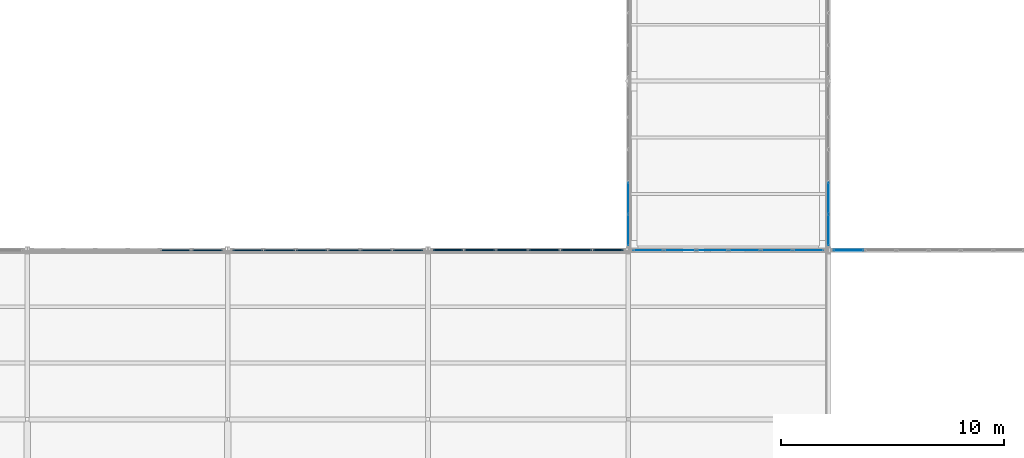
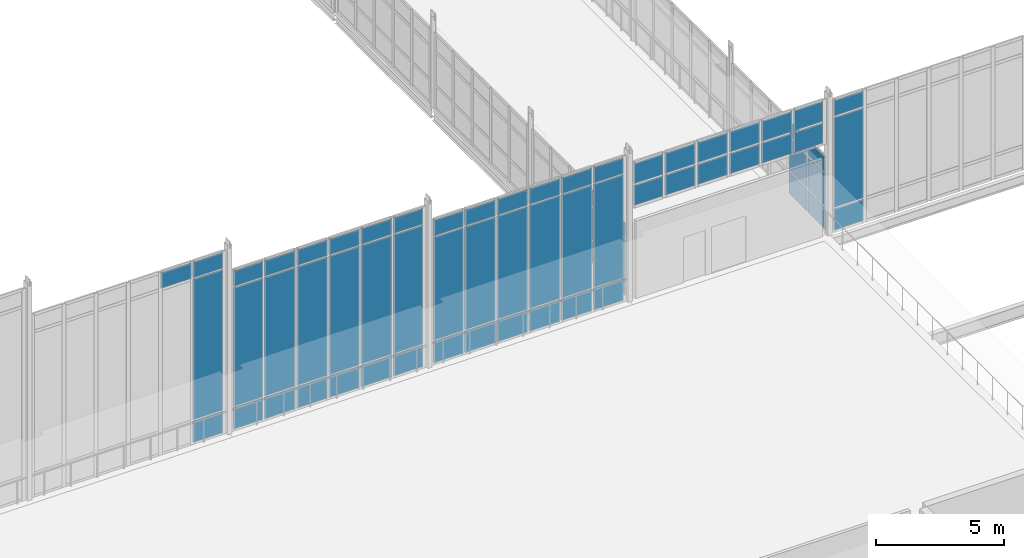
# One storey, part 126 of 166: 67 plates, 7 elements without a shape of their own.
"""IFC4 building model written with IfcOpenShell, lengths in metres."""

from ifc_helpers import new_model, si_unit, direction, frame, origin, origin_2d, place, context, subcontext, project, spatial, rectangle, extrude, material, layer, layer_set, type_object, element, aggregate, save


model = new_model("IFC4")

# Units and contexts
model_context = context("Model", 3, precision=1e-05, world=origin(), true_north=direction((0.0, 1.0)))
body_context = subcontext(model_context, "Body", "Model", "MODEL_VIEW")
ifc_project = project(units=[si_unit("LENGTHUNIT", "METRE"), si_unit("AREAUNIT", "SQUARE_METRE"), si_unit("VOLUMEUNIT", "CUBIC_METRE"), si_unit("PLANEANGLEUNIT", "RADIAN"), si_unit("MASSUNIT", "GRAM", prefix="KILO")], contexts=[model_context])

# Site, building, storey
site_placement = place(None, origin())
site = spatial("IfcSite", under=ifc_project, at=site_placement, CompositionType="ELEMENT")
building_placement = place(site_placement, origin())
building = spatial("IfcBuilding", under=site, at=building_placement, Name="Caisbarro Railhouse Central Library", CompositionType="ELEMENT")
storey_placement = place(building_placement, frame((0.0, 0.0, 9.360107421875)))
storey = spatial("IfcBuildingStorey", under=building, at=storey_placement, Name="L02", CompositionType="ELEMENT", Elevation=9.360107421875)

# Curtain wall, plates
ifc_material_1 = material(Name="Anodised architectural aluminium", Category="aluminium")
curtain_wall_type_1 = type_object("IfcCurtainWallType", Name="CW-CW04", PredefinedType="NOTDEFINED", material=ifc_material_1)
curtain_wall_1_placement = place(storey_placement, origin())
curtain_wall_1 = element("IfcCurtainWall", 1, at=curtain_wall_1_placement, inside=storey, type_object=curtain_wall_type_1, Name="CW04 curtain wall L02 #18", PredefinedType="NOTDEFINED")
ifc_material_2 = material(Name="Double low-e laminated solar-control glass", Category="glass")
ifc_layer_1 = layer(ifc_material_2, 0.01806640625, Name="Double low-e laminated solar-control glass")
ifc_layer_set_1 = layer_set([ifc_layer_1], Name="Double low-e laminated solar-control glass")
plate_type_1 = type_object("IfcPlateType", Name="CWP-CP18", PredefinedType="CURTAIN_PANEL", material=ifc_layer_set_1)
plate_1_placement = place(storey_placement, frame((54.902099609375, 60.800048828125, 4.39501953125), z_axis=(0.0, 0.0, 1.0), x_axis=(1.0, 0.0, 0.0)))
plate_1 = element("IfcPlate", 2, at=plate_1_placement, type_object=plate_type_1, Name="CW04 panel 1.1", PredefinedType="CURTAIN_PANEL", context=body_context, shape_type="SweptSolid", body=[
    extrude(rectangle(XDim=1.334228515625, YDim=0.01806640625, at=origin_2d()), origin(), (0.0, 0.0, 1.0), 0.96240234375),
])
plate_2_placement = place(storey_placement, frame((54.902099609375, 60.800048828125, 5.432373046875), z_axis=(0.0, 0.0, 1.0), x_axis=(1.0, 0.0, 0.0)))
plate_2 = element("IfcPlate", 3, at=plate_2_placement, type_object=plate_type_1, Name="CW04 panel 1.2", PredefinedType="CURTAIN_PANEL", context=body_context, shape_type="SweptSolid", body=[
    extrude(rectangle(XDim=1.334228515625, YDim=0.01806640625, at=origin_2d()), origin(), (0.0, 0.0, 1.0), 0.96240234375),
])
plate_3_placement = place(storey_placement, frame((56.330078125, 60.800048828125, 4.39501953125), z_axis=(0.0, 0.0, 1.0), x_axis=(1.0, 0.0, 0.0)))
plate_3 = element("IfcPlate", 4, at=plate_3_placement, type_object=plate_type_1, Name="CW04 panel 2.1", PredefinedType="CURTAIN_PANEL", context=body_context, shape_type="SweptSolid", body=[
    extrude(rectangle(XDim=1.37158203125, YDim=0.01806640625, at=origin_2d()), origin(), (0.0, 0.0, 1.0), 0.96240234375),
])
plate_4_placement = place(storey_placement, frame((56.330078125, 60.800048828125, 5.432373046875), z_axis=(0.0, 0.0, 1.0), x_axis=(1.0, 0.0, 0.0)))
plate_4 = element("IfcPlate", 5, at=plate_4_placement, type_object=plate_type_1, Name="CW04 panel 2.2", PredefinedType="CURTAIN_PANEL", context=body_context, shape_type="SweptSolid", body=[
    extrude(rectangle(XDim=1.37158203125, YDim=0.01806640625, at=origin_2d()), origin(), (0.0, 0.0, 1.0), 0.96240234375),
])
plate_5_placement = place(storey_placement, frame((57.776611328125, 60.800048828125, 4.39501953125), z_axis=(0.0, 0.0, 1.0), x_axis=(1.0, 0.0, 0.0)))
plate_5 = element("IfcPlate", 6, at=plate_5_placement, type_object=plate_type_1, Name="CW04 panel 3.1", PredefinedType="CURTAIN_PANEL", context=body_context, shape_type="SweptSolid", body=[
    extrude(rectangle(XDim=1.37158203125, YDim=0.01806640625, at=origin_2d()), origin(), (0.0, 0.0, 1.0), 0.96240234375),
])
plate_6_placement = place(storey_placement, frame((57.776611328125, 60.800048828125, 5.432373046875), z_axis=(0.0, 0.0, 1.0), x_axis=(1.0, 0.0, 0.0)))
plate_6 = element("IfcPlate", 7, at=plate_6_placement, type_object=plate_type_1, Name="CW04 panel 3.2", PredefinedType="CURTAIN_PANEL", context=body_context, shape_type="SweptSolid", body=[
    extrude(rectangle(XDim=1.37158203125, YDim=0.01806640625, at=origin_2d()), origin(), (0.0, 0.0, 1.0), 0.96240234375),
])
plate_7_placement = place(storey_placement, frame((59.223388671875, 60.800048828125, 4.39501953125), z_axis=(0.0, 0.0, 1.0), x_axis=(1.0, 0.0, 0.0)))
plate_7 = element("IfcPlate", 8, at=plate_7_placement, type_object=plate_type_1, Name="CW04 panel 4.1", PredefinedType="CURTAIN_PANEL", context=body_context, shape_type="SweptSolid", body=[
    extrude(rectangle(XDim=1.37158203125, YDim=0.01806640625, at=origin_2d()), origin(), (0.0, 0.0, 1.0), 0.96240234375),
])
plate_8_placement = place(storey_placement, frame((59.223388671875, 60.800048828125, 5.432373046875), z_axis=(0.0, 0.0, 1.0), x_axis=(1.0, 0.0, 0.0)))
plate_8 = element("IfcPlate", 9, at=plate_8_placement, type_object=plate_type_1, Name="CW04 panel 4.2", PredefinedType="CURTAIN_PANEL", context=body_context, shape_type="SweptSolid", body=[
    extrude(rectangle(XDim=1.37158203125, YDim=0.01806640625, at=origin_2d()), origin(), (0.0, 0.0, 1.0), 0.96240234375),
])
plate_9_placement = place(storey_placement, frame((60.669921875, 60.800048828125, 4.39501953125), z_axis=(0.0, 0.0, 1.0), x_axis=(1.0, 0.0, 0.0)))
plate_9 = element("IfcPlate", 10, at=plate_9_placement, type_object=plate_type_1, Name="CW04 panel 5.1", PredefinedType="CURTAIN_PANEL", context=body_context, shape_type="SweptSolid", body=[
    extrude(rectangle(XDim=1.37158203125, YDim=0.01806640625, at=origin_2d()), origin(), (0.0, 0.0, 1.0), 0.96240234375),
])
plate_10_placement = place(storey_placement, frame((60.669921875, 60.800048828125, 5.432373046875), z_axis=(0.0, 0.0, 1.0), x_axis=(1.0, 0.0, 0.0)))
plate_10 = element("IfcPlate", 11, at=plate_10_placement, type_object=plate_type_1, Name="CW04 panel 5.2", PredefinedType="CURTAIN_PANEL", context=body_context, shape_type="SweptSolid", body=[
    extrude(rectangle(XDim=1.37158203125, YDim=0.01806640625, at=origin_2d()), origin(), (0.0, 0.0, 1.0), 0.96240234375),
])
plate_11_placement = place(storey_placement, frame((62.097900390625, 60.800048828125, 4.39501953125), z_axis=(0.0, 0.0, 1.0), x_axis=(1.0, 0.0, 0.0)))
plate_11 = element("IfcPlate", 12, at=plate_11_placement, type_object=plate_type_1, Name="CW04 panel 6.1", PredefinedType="CURTAIN_PANEL", context=body_context, shape_type="SweptSolid", body=[
    extrude(rectangle(XDim=1.334228515625, YDim=0.01806640625, at=origin_2d()), origin(), (0.0, 0.0, 1.0), 0.96240234375),
])
plate_12_placement = place(storey_placement, frame((62.097900390625, 60.800048828125, 5.432373046875), z_axis=(0.0, 0.0, 1.0), x_axis=(1.0, 0.0, 0.0)))
plate_12 = element("IfcPlate", 13, at=plate_12_placement, type_object=plate_type_1, Name="CW04 panel 6.2", PredefinedType="CURTAIN_PANEL", context=body_context, shape_type="SweptSolid", body=[
    extrude(rectangle(XDim=1.334228515625, YDim=0.01806640625, at=origin_2d()), origin(), (0.0, 0.0, 1.0), 0.96240234375),
])
aggregate(curtain_wall_1, [plate_1, plate_2, plate_3, plate_4, plate_5, plate_6, plate_7, plate_8, plate_9, plate_10, plate_11, plate_12])

curtain_wall_type_2 = type_object("IfcCurtainWallType", Name="CW-CW03", PredefinedType="NOTDEFINED", material=ifc_material_1)
curtain_wall_2_placement = place(storey_placement, origin())
curtain_wall_2 = element("IfcCurtainWall", 14, at=curtain_wall_2_placement, inside=storey, type_object=curtain_wall_type_2, Name="CW03 curtain wall L02 #202", PredefinedType="NOTDEFINED")
plate_13_placement = place(storey_placement, frame((54.0, 61.704345703125, 0.06494140625), z_axis=(0.0, 0.0, 1.0), x_axis=(0.0, 1.0, 0.0)))
plate_13 = element("IfcPlate", 15, at=plate_13_placement, type_object=plate_type_1, Name="CW03 panel 1.1", PredefinedType="CURTAIN_PANEL", context=body_context, shape_type="SweptSolid", body=[
    extrude(rectangle(XDim=1.3583984375, YDim=0.01806640625, at=origin_2d()), origin(), (0.0, 0.0, 1.0), 1.0224609375),
])
plate_14_placement = place(storey_placement, frame((54.0, 61.704345703125, 1.15234375), z_axis=(0.0, 0.0, 1.0), x_axis=(0.0, 1.0, 0.0)))
plate_14 = element("IfcPlate", 16, at=plate_14_placement, type_object=plate_type_1, Name="CW03 panel 1.2", PredefinedType="CURTAIN_PANEL", context=body_context, shape_type="SweptSolid", body=[
    extrude(rectangle(XDim=1.3583984375, YDim=0.01806640625, at=origin_2d()), origin(), (0.0, 0.0, 1.0), 1.554931640625),
])
plate_15_placement = place(storey_placement, frame((54.0, 61.704345703125, 2.7724609375), z_axis=(0.0, 0.0, 1.0), x_axis=(0.0, 1.0, 0.0)))
plate_15 = element("IfcPlate", 17, at=plate_15_placement, type_object=plate_type_1, Name="CW03 panel 1.3", PredefinedType="CURTAIN_PANEL", context=body_context, shape_type="SweptSolid", body=[
    extrude(rectangle(XDim=1.3583984375, YDim=0.01806640625, at=origin_2d()), origin(), (0.0, 0.0, 1.0), 0.75244140625),
])
plate_16_placement = place(storey_placement, frame((54.0, 63.14404296875, 0.06494140625), z_axis=(0.0, 0.0, 1.0), x_axis=(0.0, 1.0, 0.0)))
plate_16 = element("IfcPlate", 18, at=plate_16_placement, type_object=plate_type_1, Name="CW03 panel 2.1", PredefinedType="CURTAIN_PANEL", context=body_context, shape_type="SweptSolid", body=[
    extrude(rectangle(XDim=1.39111328125, YDim=0.01806640625, at=origin_2d()), origin(), (0.0, 0.0, 1.0), 1.0224609375),
])
plate_17_placement = place(storey_placement, frame((54.0, 63.14404296875, 1.15234375), z_axis=(0.0, 0.0, 1.0), x_axis=(0.0, 1.0, 0.0)))
plate_17 = element("IfcPlate", 19, at=plate_17_placement, type_object=plate_type_1, Name="CW03 panel 2.2", PredefinedType="CURTAIN_PANEL", context=body_context, shape_type="SweptSolid", body=[
    extrude(rectangle(XDim=1.39111328125, YDim=0.01806640625, at=origin_2d()), origin(), (0.0, 0.0, 1.0), 1.554931640625),
])
plate_18_placement = place(storey_placement, frame((54.0, 63.14404296875, 2.7724609375), z_axis=(0.0, 0.0, 1.0), x_axis=(0.0, 1.0, 0.0)))
plate_18 = element("IfcPlate", 20, at=plate_18_placement, type_object=plate_type_1, Name="CW03 panel 2.3", PredefinedType="CURTAIN_PANEL", context=body_context, shape_type="SweptSolid", body=[
    extrude(rectangle(XDim=1.39111328125, YDim=0.01806640625, at=origin_2d()), origin(), (0.0, 0.0, 1.0), 0.75244140625),
])
aggregate(curtain_wall_2, [plate_13, plate_14, plate_15, plate_16, plate_17, plate_18])

curtain_wall_3_placement = place(storey_placement, origin())
curtain_wall_3 = element("IfcCurtainWall", 21, at=curtain_wall_3_placement, inside=storey, type_object=curtain_wall_type_2, Name="CW03 curtain wall L02 #203", PredefinedType="NOTDEFINED")
plate_19_placement = place(storey_placement, frame((63.0, 61.704345703125, 0.06494140625), z_axis=(0.0, 0.0, 1.0), x_axis=(0.0, 1.0, 0.0)))
plate_19 = element("IfcPlate", 22, at=plate_19_placement, type_object=plate_type_1, Name="CW03 panel 1.1", PredefinedType="CURTAIN_PANEL", context=body_context, shape_type="SweptSolid", body=[
    extrude(rectangle(XDim=1.3583984375, YDim=0.01806640625, at=origin_2d()), origin(), (0.0, 0.0, 1.0), 1.0224609375),
])
plate_20_placement = place(storey_placement, frame((63.0, 61.704345703125, 1.15234375), z_axis=(0.0, 0.0, 1.0), x_axis=(0.0, 1.0, 0.0)))
plate_20 = element("IfcPlate", 23, at=plate_20_placement, type_object=plate_type_1, Name="CW03 panel 1.2", PredefinedType="CURTAIN_PANEL", context=body_context, shape_type="SweptSolid", body=[
    extrude(rectangle(XDim=1.3583984375, YDim=0.01806640625, at=origin_2d()), origin(), (0.0, 0.0, 1.0), 1.554931640625),
])
plate_21_placement = place(storey_placement, frame((63.0, 61.704345703125, 2.7724609375), z_axis=(0.0, 0.0, 1.0), x_axis=(0.0, 1.0, 0.0)))
plate_21 = element("IfcPlate", 24, at=plate_21_placement, type_object=plate_type_1, Name="CW03 panel 1.3", PredefinedType="CURTAIN_PANEL", context=body_context, shape_type="SweptSolid", body=[
    extrude(rectangle(XDim=1.3583984375, YDim=0.01806640625, at=origin_2d()), origin(), (0.0, 0.0, 1.0), 0.75244140625),
])
plate_22_placement = place(storey_placement, frame((63.0, 63.14404296875, 0.06494140625), z_axis=(0.0, 0.0, 1.0), x_axis=(0.0, 1.0, 0.0)))
plate_22 = element("IfcPlate", 25, at=plate_22_placement, type_object=plate_type_1, Name="CW03 panel 2.1", PredefinedType="CURTAIN_PANEL", context=body_context, shape_type="SweptSolid", body=[
    extrude(rectangle(XDim=1.39111328125, YDim=0.01806640625, at=origin_2d()), origin(), (0.0, 0.0, 1.0), 1.0224609375),
])
plate_23_placement = place(storey_placement, frame((63.0, 63.14404296875, 1.15234375), z_axis=(0.0, 0.0, 1.0), x_axis=(0.0, 1.0, 0.0)))
plate_23 = element("IfcPlate", 26, at=plate_23_placement, type_object=plate_type_1, Name="CW03 panel 2.2", PredefinedType="CURTAIN_PANEL", context=body_context, shape_type="SweptSolid", body=[
    extrude(rectangle(XDim=1.39111328125, YDim=0.01806640625, at=origin_2d()), origin(), (0.0, 0.0, 1.0), 1.554931640625),
])
plate_24_placement = place(storey_placement, frame((63.0, 63.14404296875, 2.7724609375), z_axis=(0.0, 0.0, 1.0), x_axis=(0.0, 1.0, 0.0)))
plate_24 = element("IfcPlate", 27, at=plate_24_placement, type_object=plate_type_1, Name="CW03 panel 2.3", PredefinedType="CURTAIN_PANEL", context=body_context, shape_type="SweptSolid", body=[
    extrude(rectangle(XDim=1.39111328125, YDim=0.01806640625, at=origin_2d()), origin(), (0.0, 0.0, 1.0), 0.75244140625),
])
aggregate(curtain_wall_3, [plate_19, plate_20, plate_21, plate_22, plate_23, plate_24])

curtain_wall_4_placement = place(storey_placement, origin())
curtain_wall_4 = element("IfcCurtainWall", 28, at=curtain_wall_4_placement, inside=storey, type_object=curtain_wall_type_1, Name="CW04 curtain wall L02 #20", PredefinedType="NOTDEFINED")
ifc_layer_2 = layer(ifc_material_2, 0.028076171875, Name="Double low-e laminated solar-control glass")
ifc_layer_set_2 = layer_set([ifc_layer_2], Name="Double low-e laminated solar-control glass")
plate_type_2 = type_object("IfcPlateType", Name="CWP-CP28", PredefinedType="CURTAIN_PANEL", material=ifc_layer_set_2)
plate_25_placement = place(storey_placement, frame((63.902099609375, 60.800048828125, 0.07470703125), z_axis=(0.0, 0.0, 1.0), x_axis=(1.0, 0.0, 0.0)))
plate_25 = element("IfcPlate", 29, at=plate_25_placement, type_object=plate_type_2, Name="CW04 panel 1.1", PredefinedType="CURTAIN_PANEL", context=body_context, shape_type="SweptSolid", body=[
    extrude(rectangle(XDim=1.334228515625, YDim=0.028076171875, at=origin_2d()), origin(), (0.0, 0.0, 1.0), 1.007568359375),
])
plate_26_placement = place(storey_placement, frame((63.902099609375, 60.800048828125, 1.157470703125), z_axis=(0.0, 0.0, 1.0), x_axis=(1.0, 0.0, 0.0)))
plate_26 = element("IfcPlate", 30, at=plate_26_placement, type_object=plate_type_2, Name="CW04 panel 1.2", PredefinedType="CURTAIN_PANEL", context=body_context, shape_type="SweptSolid", body=[
    extrude(rectangle(XDim=1.334228515625, YDim=0.028076171875, at=origin_2d()), origin(), (0.0, 0.0, 1.0), 4.27490234375),
])
plate_27_placement = place(storey_placement, frame((63.902099609375, 60.800048828125, 5.50732421875), z_axis=(0.0, 0.0, 1.0), x_axis=(1.0, 0.0, 0.0)))
plate_27 = element("IfcPlate", 31, at=plate_27_placement, type_object=plate_type_2, Name="CW04 panel 1.3", PredefinedType="CURTAIN_PANEL", context=body_context, shape_type="SweptSolid", body=[
    extrude(rectangle(XDim=1.334228515625, YDim=0.028076171875, at=origin_2d()), origin(), (0.0, 0.0, 1.0), 0.737548828125),
])
aggregate(curtain_wall_4, [plate_25, plate_26, plate_27])

curtain_wall_type_3 = type_object("IfcCurtainWallType", Name="CW-CW05", PredefinedType="NOTDEFINED", material=ifc_material_1)
curtain_wall_5_placement = place(storey_placement, origin())
curtain_wall_5 = element("IfcCurtainWall", 32, at=curtain_wall_5_placement, inside=storey, type_object=curtain_wall_type_3, Name="CW05 curtain wall L02 #11", PredefinedType="NOTDEFINED")
ifc_layer_3 = layer(ifc_material_2, 0.048095703125, Name="Double low-e laminated solar-control glass")
ifc_layer_set_3 = layer_set([ifc_layer_3], Name="Double low-e laminated solar-control glass")
plate_type_3 = type_object("IfcPlateType", Name="CWP-CP48", PredefinedType="CURTAIN_PANEL", material=ifc_layer_set_3)
plate_28_placement = place(storey_placement, frame((33.669921875, 60.800048828125, 7.9072265625), z_axis=(0.0, 0.0, 1.0), x_axis=(1.0, 0.0, 0.0)))
plate_28 = element("IfcPlate", 33, at=plate_28_placement, type_object=plate_type_3, Name="CW05 panel 5.3", PredefinedType="CURTAIN_PANEL", context=body_context, shape_type="SweptSolid", body=[
    extrude(rectangle(XDim=1.37158203125, YDim=0.048095703125, at=origin_2d()), origin(), (0.0, 0.0, 1.0), 0.737548828125),
])
plate_29_placement = place(storey_placement, frame((35.097900390625, 60.800048828125, 0.07470703125), z_axis=(0.0, 0.0, 1.0), x_axis=(1.0, 0.0, 0.0)))
plate_29 = element("IfcPlate", 34, at=plate_29_placement, type_object=plate_type_3, Name="CW05 panel 6.1", PredefinedType="CURTAIN_PANEL", context=body_context, shape_type="SweptSolid", body=[
    extrude(rectangle(XDim=1.334228515625, YDim=0.048095703125, at=origin_2d()), origin(), (0.0, 0.0, 1.0), 1.007568359375),
])
plate_30_placement = place(storey_placement, frame((35.097900390625, 60.800048828125, 1.1572265625), z_axis=(0.0, 0.0, 1.0), x_axis=(1.0, 0.0, 0.0)))
plate_30 = element("IfcPlate", 35, at=plate_30_placement, type_object=plate_type_3, Name="CW05 panel 6.2", PredefinedType="CURTAIN_PANEL", context=body_context, shape_type="SweptSolid", body=[
    extrude(rectangle(XDim=1.334228515625, YDim=0.048095703125, at=origin_2d()), origin(), (0.0, 0.0, 1.0), 6.675048828125),
])
plate_31_placement = place(storey_placement, frame((35.097900390625, 60.800048828125, 7.9072265625), z_axis=(0.0, 0.0, 1.0), x_axis=(1.0, 0.0, 0.0)))
plate_31 = element("IfcPlate", 36, at=plate_31_placement, type_object=plate_type_3, Name="CW05 panel 6.3", PredefinedType="CURTAIN_PANEL", context=body_context, shape_type="SweptSolid", body=[
    extrude(rectangle(XDim=1.334228515625, YDim=0.048095703125, at=origin_2d()), origin(), (0.0, 0.0, 1.0), 0.737548828125),
])
aggregate(curtain_wall_5, [plate_28, plate_29, plate_30, plate_31])

curtain_wall_6_placement = place(storey_placement, origin())
curtain_wall_6 = element("IfcCurtainWall", 37, at=curtain_wall_6_placement, inside=storey, type_object=curtain_wall_type_1, Name="CW04 curtain wall L02 #13", PredefinedType="NOTDEFINED")
ifc_layer_4 = layer(ifc_material_2, 0.05810546875, Name="Double low-e laminated solar-control glass")
ifc_layer_set_4 = layer_set([ifc_layer_4], Name="Double low-e laminated solar-control glass")
plate_type_4 = type_object("IfcPlateType", Name="CWP-CP58", PredefinedType="CURTAIN_PANEL", material=ifc_layer_set_4)
plate_32_placement = place(storey_placement, frame((36.902099609375, 60.800048828125, 0.07470703125), z_axis=(0.0, 0.0, 1.0), x_axis=(1.0, 0.0, 0.0)))
plate_32 = element("IfcPlate", 38, at=plate_32_placement, type_object=plate_type_4, Name="CW04 panel 1.1", PredefinedType="CURTAIN_PANEL", context=body_context, shape_type="SweptSolid", body=[
    extrude(rectangle(XDim=1.334228515625, YDim=0.05810546875, at=origin_2d()), origin(), (0.0, 0.0, 1.0), 1.007568359375),
])
plate_33_placement = place(storey_placement, frame((36.902099609375, 60.800048828125, 1.157470703125), z_axis=(0.0, 0.0, 1.0), x_axis=(1.0, 0.0, 0.0)))
plate_33 = element("IfcPlate", 39, at=plate_33_placement, type_object=plate_type_4, Name="CW04 panel 1.2", PredefinedType="CURTAIN_PANEL", context=body_context, shape_type="SweptSolid", body=[
    extrude(rectangle(XDim=1.334228515625, YDim=0.05810546875, at=origin_2d()), origin(), (0.0, 0.0, 1.0), 5.625),
])
plate_34_placement = place(storey_placement, frame((36.902099609375, 60.800048828125, 6.857421875), z_axis=(0.0, 0.0, 1.0), x_axis=(1.0, 0.0, 0.0)))
plate_34 = element("IfcPlate", 40, at=plate_34_placement, type_object=plate_type_4, Name="CW04 panel 1.3", PredefinedType="CURTAIN_PANEL", context=body_context, shape_type="SweptSolid", body=[
    extrude(rectangle(XDim=1.334228515625, YDim=0.05810546875, at=origin_2d()), origin(), (0.0, 0.0, 1.0), 0.737548828125),
])
plate_35_placement = place(storey_placement, frame((38.330078125, 60.800048828125, 0.07470703125), z_axis=(0.0, 0.0, 1.0), x_axis=(1.0, 0.0, 0.0)))
plate_35 = element("IfcPlate", 41, at=plate_35_placement, type_object=plate_type_4, Name="CW04 panel 2.1", PredefinedType="CURTAIN_PANEL", context=body_context, shape_type="SweptSolid", body=[
    extrude(rectangle(XDim=1.37158203125, YDim=0.05810546875, at=origin_2d()), origin(), (0.0, 0.0, 1.0), 1.007568359375),
])
plate_36_placement = place(storey_placement, frame((38.330078125, 60.800048828125, 1.157470703125), z_axis=(0.0, 0.0, 1.0), x_axis=(1.0, 0.0, 0.0)))
plate_36 = element("IfcPlate", 42, at=plate_36_placement, type_object=plate_type_4, Name="CW04 panel 2.2", PredefinedType="CURTAIN_PANEL", context=body_context, shape_type="SweptSolid", body=[
    extrude(rectangle(XDim=1.37158203125, YDim=0.05810546875, at=origin_2d()), origin(), (0.0, 0.0, 1.0), 5.625),
])
plate_37_placement = place(storey_placement, frame((38.330078125, 60.800048828125, 6.857421875), z_axis=(0.0, 0.0, 1.0), x_axis=(1.0, 0.0, 0.0)))
plate_37 = element("IfcPlate", 43, at=plate_37_placement, type_object=plate_type_4, Name="CW04 panel 2.3", PredefinedType="CURTAIN_PANEL", context=body_context, shape_type="SweptSolid", body=[
    extrude(rectangle(XDim=1.37158203125, YDim=0.05810546875, at=origin_2d()), origin(), (0.0, 0.0, 1.0), 0.737548828125),
])
plate_38_placement = place(storey_placement, frame((39.776611328125, 60.800048828125, 0.07470703125), z_axis=(0.0, 0.0, 1.0), x_axis=(1.0, 0.0, 0.0)))
plate_38 = element("IfcPlate", 44, at=plate_38_placement, type_object=plate_type_4, Name="CW04 panel 3.1", PredefinedType="CURTAIN_PANEL", context=body_context, shape_type="SweptSolid", body=[
    extrude(rectangle(XDim=1.37158203125, YDim=0.05810546875, at=origin_2d()), origin(), (0.0, 0.0, 1.0), 1.007568359375),
])
plate_39_placement = place(storey_placement, frame((39.776611328125, 60.800048828125, 1.157470703125), z_axis=(0.0, 0.0, 1.0), x_axis=(1.0, 0.0, 0.0)))
plate_39 = element("IfcPlate", 45, at=plate_39_placement, type_object=plate_type_4, Name="CW04 panel 3.2", PredefinedType="CURTAIN_PANEL", context=body_context, shape_type="SweptSolid", body=[
    extrude(rectangle(XDim=1.37158203125, YDim=0.05810546875, at=origin_2d()), origin(), (0.0, 0.0, 1.0), 5.625),
])
plate_40_placement = place(storey_placement, frame((39.776611328125, 60.800048828125, 6.857421875), z_axis=(0.0, 0.0, 1.0), x_axis=(1.0, 0.0, 0.0)))
plate_40 = element("IfcPlate", 46, at=plate_40_placement, type_object=plate_type_4, Name="CW04 panel 3.3", PredefinedType="CURTAIN_PANEL", context=body_context, shape_type="SweptSolid", body=[
    extrude(rectangle(XDim=1.37158203125, YDim=0.05810546875, at=origin_2d()), origin(), (0.0, 0.0, 1.0), 0.737548828125),
])
plate_41_placement = place(storey_placement, frame((41.223388671875, 60.800048828125, 0.07470703125), z_axis=(0.0, 0.0, 1.0), x_axis=(1.0, 0.0, 0.0)))
plate_41 = element("IfcPlate", 47, at=plate_41_placement, type_object=plate_type_4, Name="CW04 panel 4.1", PredefinedType="CURTAIN_PANEL", context=body_context, shape_type="SweptSolid", body=[
    extrude(rectangle(XDim=1.37158203125, YDim=0.05810546875, at=origin_2d()), origin(), (0.0, 0.0, 1.0), 1.007568359375),
])
plate_42_placement = place(storey_placement, frame((41.223388671875, 60.800048828125, 1.157470703125), z_axis=(0.0, 0.0, 1.0), x_axis=(1.0, 0.0, 0.0)))
plate_42 = element("IfcPlate", 48, at=plate_42_placement, type_object=plate_type_4, Name="CW04 panel 4.2", PredefinedType="CURTAIN_PANEL", context=body_context, shape_type="SweptSolid", body=[
    extrude(rectangle(XDim=1.37158203125, YDim=0.05810546875, at=origin_2d()), origin(), (0.0, 0.0, 1.0), 5.625),
])
plate_43_placement = place(storey_placement, frame((41.223388671875, 60.800048828125, 6.857421875), z_axis=(0.0, 0.0, 1.0), x_axis=(1.0, 0.0, 0.0)))
plate_43 = element("IfcPlate", 49, at=plate_43_placement, type_object=plate_type_4, Name="CW04 panel 4.3", PredefinedType="CURTAIN_PANEL", context=body_context, shape_type="SweptSolid", body=[
    extrude(rectangle(XDim=1.37158203125, YDim=0.05810546875, at=origin_2d()), origin(), (0.0, 0.0, 1.0), 0.737548828125),
])
plate_44_placement = place(storey_placement, frame((42.669921875, 60.800048828125, 0.07470703125), z_axis=(0.0, 0.0, 1.0), x_axis=(1.0, 0.0, 0.0)))
plate_44 = element("IfcPlate", 50, at=plate_44_placement, type_object=plate_type_4, Name="CW04 panel 5.1", PredefinedType="CURTAIN_PANEL", context=body_context, shape_type="SweptSolid", body=[
    extrude(rectangle(XDim=1.37158203125, YDim=0.05810546875, at=origin_2d()), origin(), (0.0, 0.0, 1.0), 1.007568359375),
])
plate_45_placement = place(storey_placement, frame((42.669921875, 60.800048828125, 1.157470703125), z_axis=(0.0, 0.0, 1.0), x_axis=(1.0, 0.0, 0.0)))
plate_45 = element("IfcPlate", 51, at=plate_45_placement, type_object=plate_type_4, Name="CW04 panel 5.2", PredefinedType="CURTAIN_PANEL", context=body_context, shape_type="SweptSolid", body=[
    extrude(rectangle(XDim=1.37158203125, YDim=0.05810546875, at=origin_2d()), origin(), (0.0, 0.0, 1.0), 5.625),
])
plate_46_placement = place(storey_placement, frame((42.669921875, 60.800048828125, 6.857421875), z_axis=(0.0, 0.0, 1.0), x_axis=(1.0, 0.0, 0.0)))
plate_46 = element("IfcPlate", 52, at=plate_46_placement, type_object=plate_type_4, Name="CW04 panel 5.3", PredefinedType="CURTAIN_PANEL", context=body_context, shape_type="SweptSolid", body=[
    extrude(rectangle(XDim=1.37158203125, YDim=0.05810546875, at=origin_2d()), origin(), (0.0, 0.0, 1.0), 0.737548828125),
])
plate_47_placement = place(storey_placement, frame((44.097900390625, 60.800048828125, 0.07470703125), z_axis=(0.0, 0.0, 1.0), x_axis=(1.0, 0.0, 0.0)))
plate_47 = element("IfcPlate", 53, at=plate_47_placement, type_object=plate_type_4, Name="CW04 panel 6.1", PredefinedType="CURTAIN_PANEL", context=body_context, shape_type="SweptSolid", body=[
    extrude(rectangle(XDim=1.334228515625, YDim=0.05810546875, at=origin_2d()), origin(), (0.0, 0.0, 1.0), 1.007568359375),
])
plate_48_placement = place(storey_placement, frame((44.097900390625, 60.800048828125, 1.157470703125), z_axis=(0.0, 0.0, 1.0), x_axis=(1.0, 0.0, 0.0)))
plate_48 = element("IfcPlate", 54, at=plate_48_placement, type_object=plate_type_4, Name="CW04 panel 6.2", PredefinedType="CURTAIN_PANEL", context=body_context, shape_type="SweptSolid", body=[
    extrude(rectangle(XDim=1.334228515625, YDim=0.05810546875, at=origin_2d()), origin(), (0.0, 0.0, 1.0), 5.625),
])
plate_49_placement = place(storey_placement, frame((44.097900390625, 60.800048828125, 6.857421875), z_axis=(0.0, 0.0, 1.0), x_axis=(1.0, 0.0, 0.0)))
plate_49 = element("IfcPlate", 55, at=plate_49_placement, type_object=plate_type_4, Name="CW04 panel 6.3", PredefinedType="CURTAIN_PANEL", context=body_context, shape_type="SweptSolid", body=[
    extrude(rectangle(XDim=1.334228515625, YDim=0.05810546875, at=origin_2d()), origin(), (0.0, 0.0, 1.0), 0.737548828125),
])
aggregate(curtain_wall_6, [plate_32, plate_33, plate_34, plate_35, plate_36, plate_37, plate_38, plate_39, plate_40, plate_41, plate_42, plate_43, plate_44, plate_45, plate_46, plate_47, plate_48, plate_49])

curtain_wall_7_placement = place(storey_placement, origin())
curtain_wall_7 = element("IfcCurtainWall", 56, at=curtain_wall_7_placement, inside=storey, type_object=curtain_wall_type_1, Name="CW04 curtain wall L02 #16", PredefinedType="NOTDEFINED")
ifc_layer_5 = layer(ifc_material_2, 0.068115234375, Name="Double low-e laminated solar-control glass")
ifc_layer_set_5 = layer_set([ifc_layer_5], Name="Double low-e laminated solar-control glass")
plate_type_5 = type_object("IfcPlateType", Name="CWP-CP68", PredefinedType="CURTAIN_PANEL", material=ifc_layer_set_5)
plate_50_placement = place(storey_placement, frame((45.902099609375, 60.800048828125, 0.07470703125), z_axis=(0.0, 0.0, 1.0), x_axis=(1.0, 0.0, 0.0)))
plate_50 = element("IfcPlate", 57, at=plate_50_placement, type_object=plate_type_5, Name="CW04 panel 1.1", PredefinedType="CURTAIN_PANEL", context=body_context, shape_type="SweptSolid", body=[
    extrude(rectangle(XDim=1.334228515625, YDim=0.068115234375, at=origin_2d()), origin(), (0.0, 0.0, 1.0), 1.007568359375),
])
plate_51_placement = place(storey_placement, frame((45.902099609375, 60.800048828125, 1.157470703125), z_axis=(0.0, 0.0, 1.0), x_axis=(1.0, 0.0, 0.0)))
plate_51 = element("IfcPlate", 58, at=plate_51_placement, type_object=plate_type_5, Name="CW04 panel 1.2", PredefinedType="CURTAIN_PANEL", context=body_context, shape_type="SweptSolid", body=[
    extrude(rectangle(XDim=1.334228515625, YDim=0.068115234375, at=origin_2d()), origin(), (0.0, 0.0, 1.0), 4.875),
])
plate_52_placement = place(storey_placement, frame((45.902099609375, 60.800048828125, 6.107421875), z_axis=(0.0, 0.0, 1.0), x_axis=(1.0, 0.0, 0.0)))
plate_52 = element("IfcPlate", 59, at=plate_52_placement, type_object=plate_type_5, Name="CW04 panel 1.3", PredefinedType="CURTAIN_PANEL", context=body_context, shape_type="SweptSolid", body=[
    extrude(rectangle(XDim=1.334228515625, YDim=0.068115234375, at=origin_2d()), origin(), (0.0, 0.0, 1.0), 0.737548828125),
])
plate_53_placement = place(storey_placement, frame((47.330078125, 60.800048828125, 0.07470703125), z_axis=(0.0, 0.0, 1.0), x_axis=(1.0, 0.0, 0.0)))
plate_53 = element("IfcPlate", 60, at=plate_53_placement, type_object=plate_type_5, Name="CW04 panel 2.1", PredefinedType="CURTAIN_PANEL", context=body_context, shape_type="SweptSolid", body=[
    extrude(rectangle(XDim=1.37158203125, YDim=0.068115234375, at=origin_2d()), origin(), (0.0, 0.0, 1.0), 1.007568359375),
])
plate_54_placement = place(storey_placement, frame((47.330078125, 60.800048828125, 1.157470703125), z_axis=(0.0, 0.0, 1.0), x_axis=(1.0, 0.0, 0.0)))
plate_54 = element("IfcPlate", 61, at=plate_54_placement, type_object=plate_type_5, Name="CW04 panel 2.2", PredefinedType="CURTAIN_PANEL", context=body_context, shape_type="SweptSolid", body=[
    extrude(rectangle(XDim=1.37158203125, YDim=0.068115234375, at=origin_2d()), origin(), (0.0, 0.0, 1.0), 4.875),
])
plate_55_placement = place(storey_placement, frame((47.330078125, 60.800048828125, 6.107421875), z_axis=(0.0, 0.0, 1.0), x_axis=(1.0, 0.0, 0.0)))
plate_55 = element("IfcPlate", 62, at=plate_55_placement, type_object=plate_type_5, Name="CW04 panel 2.3", PredefinedType="CURTAIN_PANEL", context=body_context, shape_type="SweptSolid", body=[
    extrude(rectangle(XDim=1.37158203125, YDim=0.068115234375, at=origin_2d()), origin(), (0.0, 0.0, 1.0), 0.737548828125),
])
plate_56_placement = place(storey_placement, frame((48.776611328125, 60.800048828125, 0.07470703125), z_axis=(0.0, 0.0, 1.0), x_axis=(1.0, 0.0, 0.0)))
plate_56 = element("IfcPlate", 63, at=plate_56_placement, type_object=plate_type_5, Name="CW04 panel 3.1", PredefinedType="CURTAIN_PANEL", context=body_context, shape_type="SweptSolid", body=[
    extrude(rectangle(XDim=1.37158203125, YDim=0.068115234375, at=origin_2d()), origin(), (0.0, 0.0, 1.0), 1.007568359375),
])
plate_57_placement = place(storey_placement, frame((48.776611328125, 60.800048828125, 1.157470703125), z_axis=(0.0, 0.0, 1.0), x_axis=(1.0, 0.0, 0.0)))
plate_57 = element("IfcPlate", 64, at=plate_57_placement, type_object=plate_type_5, Name="CW04 panel 3.2", PredefinedType="CURTAIN_PANEL", context=body_context, shape_type="SweptSolid", body=[
    extrude(rectangle(XDim=1.37158203125, YDim=0.068115234375, at=origin_2d()), origin(), (0.0, 0.0, 1.0), 4.875),
])
plate_58_placement = place(storey_placement, frame((48.776611328125, 60.800048828125, 6.107421875), z_axis=(0.0, 0.0, 1.0), x_axis=(1.0, 0.0, 0.0)))
plate_58 = element("IfcPlate", 65, at=plate_58_placement, type_object=plate_type_5, Name="CW04 panel 3.3", PredefinedType="CURTAIN_PANEL", context=body_context, shape_type="SweptSolid", body=[
    extrude(rectangle(XDim=1.37158203125, YDim=0.068115234375, at=origin_2d()), origin(), (0.0, 0.0, 1.0), 0.737548828125),
])
plate_59_placement = place(storey_placement, frame((50.223388671875, 60.800048828125, 0.07470703125), z_axis=(0.0, 0.0, 1.0), x_axis=(1.0, 0.0, 0.0)))
plate_59 = element("IfcPlate", 66, at=plate_59_placement, type_object=plate_type_5, Name="CW04 panel 4.1", PredefinedType="CURTAIN_PANEL", context=body_context, shape_type="SweptSolid", body=[
    extrude(rectangle(XDim=1.37158203125, YDim=0.068115234375, at=origin_2d()), origin(), (0.0, 0.0, 1.0), 1.007568359375),
])
plate_60_placement = place(storey_placement, frame((50.223388671875, 60.800048828125, 1.157470703125), z_axis=(0.0, 0.0, 1.0), x_axis=(1.0, 0.0, 0.0)))
plate_60 = element("IfcPlate", 67, at=plate_60_placement, type_object=plate_type_5, Name="CW04 panel 4.2", PredefinedType="CURTAIN_PANEL", context=body_context, shape_type="SweptSolid", body=[
    extrude(rectangle(XDim=1.37158203125, YDim=0.068115234375, at=origin_2d()), origin(), (0.0, 0.0, 1.0), 4.875),
])
plate_61_placement = place(storey_placement, frame((50.223388671875, 60.800048828125, 6.107421875), z_axis=(0.0, 0.0, 1.0), x_axis=(1.0, 0.0, 0.0)))
plate_61 = element("IfcPlate", 68, at=plate_61_placement, type_object=plate_type_5, Name="CW04 panel 4.3", PredefinedType="CURTAIN_PANEL", context=body_context, shape_type="SweptSolid", body=[
    extrude(rectangle(XDim=1.37158203125, YDim=0.068115234375, at=origin_2d()), origin(), (0.0, 0.0, 1.0), 0.737548828125),
])
plate_62_placement = place(storey_placement, frame((51.669921875, 60.800048828125, 0.07470703125), z_axis=(0.0, 0.0, 1.0), x_axis=(1.0, 0.0, 0.0)))
plate_62 = element("IfcPlate", 69, at=plate_62_placement, type_object=plate_type_5, Name="CW04 panel 5.1", PredefinedType="CURTAIN_PANEL", context=body_context, shape_type="SweptSolid", body=[
    extrude(rectangle(XDim=1.37158203125, YDim=0.068115234375, at=origin_2d()), origin(), (0.0, 0.0, 1.0), 1.007568359375),
])
plate_63_placement = place(storey_placement, frame((51.669921875, 60.800048828125, 1.157470703125), z_axis=(0.0, 0.0, 1.0), x_axis=(1.0, 0.0, 0.0)))
plate_63 = element("IfcPlate", 70, at=plate_63_placement, type_object=plate_type_5, Name="CW04 panel 5.2", PredefinedType="CURTAIN_PANEL", context=body_context, shape_type="SweptSolid", body=[
    extrude(rectangle(XDim=1.37158203125, YDim=0.068115234375, at=origin_2d()), origin(), (0.0, 0.0, 1.0), 4.875),
])
plate_64_placement = place(storey_placement, frame((51.669921875, 60.800048828125, 6.107421875), z_axis=(0.0, 0.0, 1.0), x_axis=(1.0, 0.0, 0.0)))
plate_64 = element("IfcPlate", 71, at=plate_64_placement, type_object=plate_type_5, Name="CW04 panel 5.3", PredefinedType="CURTAIN_PANEL", context=body_context, shape_type="SweptSolid", body=[
    extrude(rectangle(XDim=1.37158203125, YDim=0.068115234375, at=origin_2d()), origin(), (0.0, 0.0, 1.0), 0.737548828125),
])
plate_65_placement = place(storey_placement, frame((53.097900390625, 60.800048828125, 0.07470703125), z_axis=(0.0, 0.0, 1.0), x_axis=(1.0, 0.0, 0.0)))
plate_65 = element("IfcPlate", 72, at=plate_65_placement, type_object=plate_type_5, Name="CW04 panel 6.1", PredefinedType="CURTAIN_PANEL", context=body_context, shape_type="SweptSolid", body=[
    extrude(rectangle(XDim=1.334228515625, YDim=0.068115234375, at=origin_2d()), origin(), (0.0, 0.0, 1.0), 1.007568359375),
])
plate_66_placement = place(storey_placement, frame((53.097900390625, 60.800048828125, 1.157470703125), z_axis=(0.0, 0.0, 1.0), x_axis=(1.0, 0.0, 0.0)))
plate_66 = element("IfcPlate", 73, at=plate_66_placement, type_object=plate_type_5, Name="CW04 panel 6.2", PredefinedType="CURTAIN_PANEL", context=body_context, shape_type="SweptSolid", body=[
    extrude(rectangle(XDim=1.334228515625, YDim=0.068115234375, at=origin_2d()), origin(), (0.0, 0.0, 1.0), 4.875),
])
plate_67_placement = place(storey_placement, frame((53.097900390625, 60.800048828125, 6.107421875), z_axis=(0.0, 0.0, 1.0), x_axis=(1.0, 0.0, 0.0)))
plate_67 = element("IfcPlate", 74, at=plate_67_placement, type_object=plate_type_5, Name="CW04 panel 6.3", PredefinedType="CURTAIN_PANEL", context=body_context, shape_type="SweptSolid", body=[
    extrude(rectangle(XDim=1.334228515625, YDim=0.068115234375, at=origin_2d()), origin(), (0.0, 0.0, 1.0), 0.737548828125),
])
aggregate(curtain_wall_7, [plate_50, plate_51, plate_52, plate_53, plate_54, plate_55, plate_56, plate_57, plate_58, plate_59, plate_60, plate_61, plate_62, plate_63, plate_64, plate_65, plate_66, plate_67])

save(model, "model.ifc")
